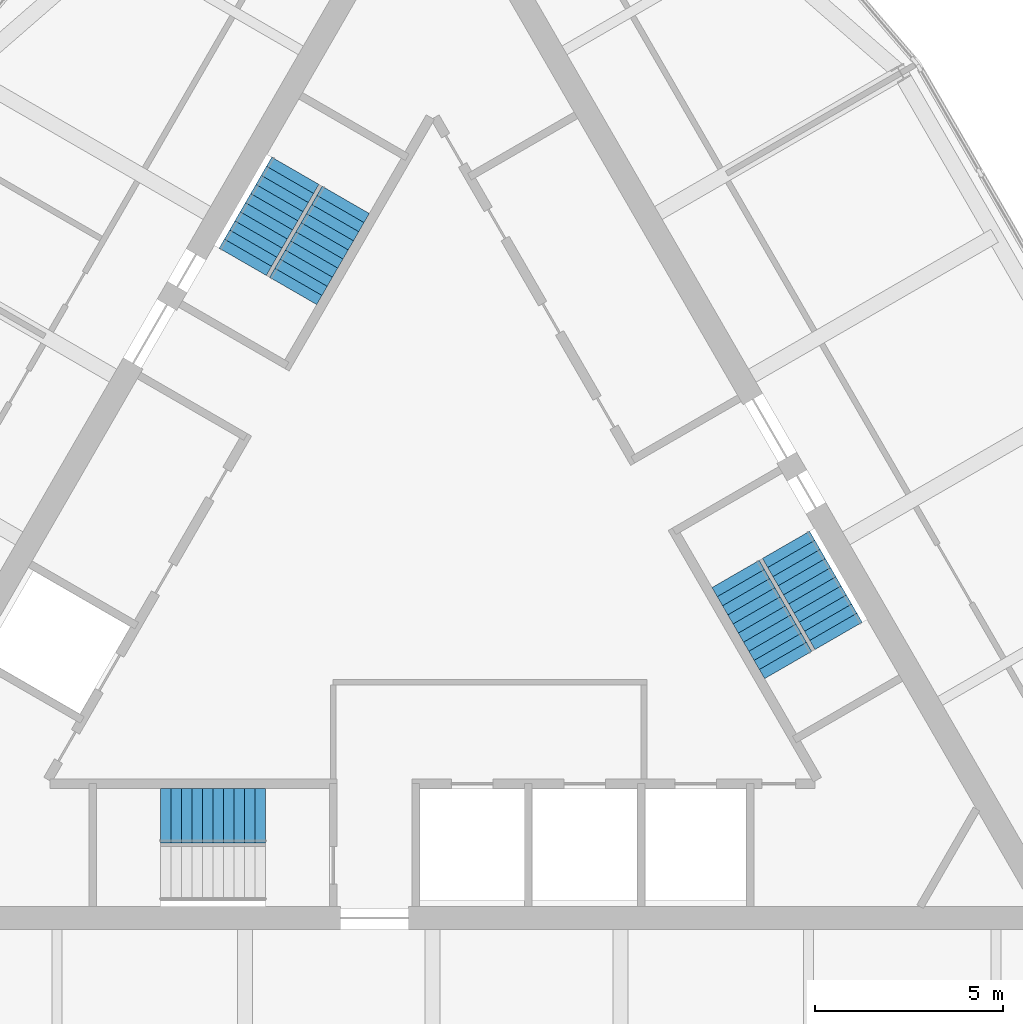
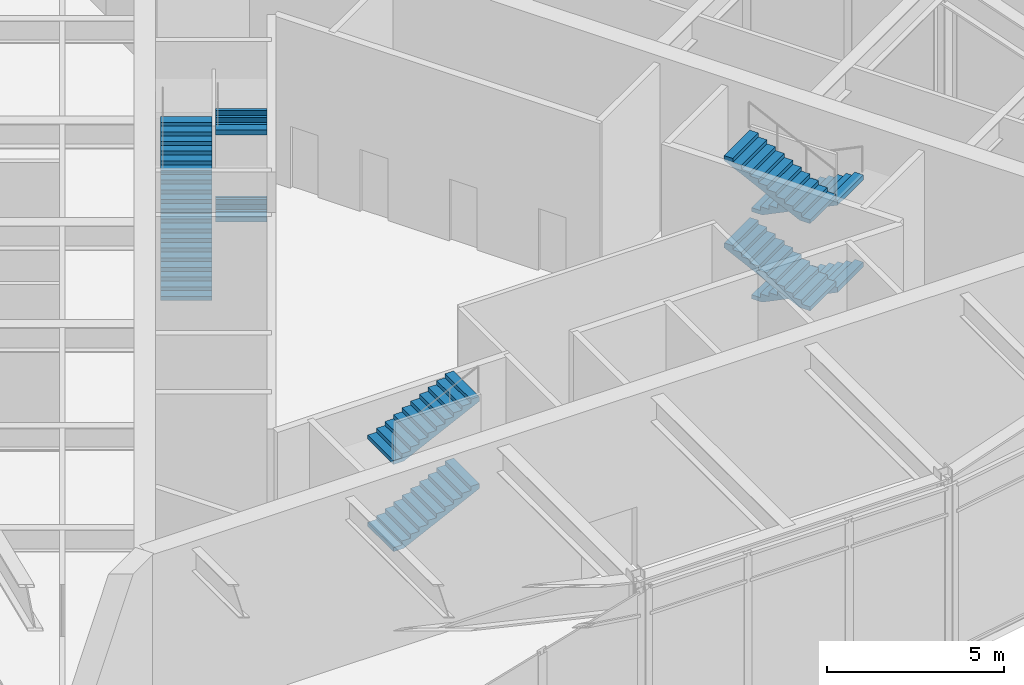
# One storey, part 8 of 9: 10 stair flights, 3 elements without a shape of their own.
"""IFC4 building model written with IfcOpenShell, lengths in metres."""

from ifc_helpers import new_model, si_unit, direction, frame, origin, place, context, subcontext, project, spatial, polyline, outline, extrude, material, type_object, element, aggregate, save


model = new_model("IFC4")

# Units and contexts
model_context = context("Model", 3, precision=1e-05, world=origin(), true_north=direction((0.0, 1.0)))
body_context = subcontext(model_context, "Body", "Model", "MODEL_VIEW")
ifc_project = project(units=[si_unit("LENGTHUNIT", "METRE"), si_unit("AREAUNIT", "SQUARE_METRE"), si_unit("VOLUMEUNIT", "CUBIC_METRE"), si_unit("PLANEANGLEUNIT", "RADIAN"), si_unit("MASSUNIT", "GRAM", prefix="KILO")], contexts=[model_context])

# Site, building, storey
site_placement = place(None, origin())
site = spatial("IfcSite", under=ifc_project, at=site_placement, CompositionType="ELEMENT")
building_placement = place(site_placement, origin())
building = spatial("IfcBuilding", under=site, at=building_placement, Name="Trikona Tower", CompositionType="ELEMENT")
storey_placement = place(building_placement, frame((0.0, 0.0, 286.800048828125)))
storey = spatial("IfcBuildingStorey", under=building, at=storey_placement, Name="L75", CompositionType="ELEMENT", Elevation=286.800048828125)

# Stair, stair flights
ifc_material_1 = material(Name="Concrete f'c 5000 psi", Category="concrete")
stair_type = type_object("IfcStairType", Name="Core stair", PredefinedType="HALF_TURN_STAIR", material=ifc_material_1)
stair_1_placement = place(storey_placement, origin())
stair_1 = element("IfcStair", 1, at=stair_1_placement, inside=storey, type_object=stair_type, Name="Stair A L75", PredefinedType="HALF_TURN_STAIR")
ifc_material_2 = material(Name="Concrete f'c 5000 psi", Category="concrete")
stair_flight_type = type_object("IfcStairFlightType", Name="Core stair flight 1450", PredefinedType="STRAIGHT", material=ifc_material_2)
stair_flight_1_placement = place(storey_placement, frame((-7.25, -6.80126953125, 1.5), z_axis=(0.0, 0.0, 1.0), x_axis=(1.0, 0.0, 0.0)))
stair_flight_1 = element("IfcStairFlight", 2, at=stair_flight_1_placement, type_object=stair_flight_type, Name="ST-A flight 2", NumberOfRisers=11, NumberOfTreads=10, PredefinedType="STRAIGHT", RiserHeight=0.136364, TreadLength=0.28, context=body_context, shape_type="SweptSolid", body=[
    extrude(outline(polyline([(0.0, 0.0), (0.0, 0.136474609375), (0.280029296875, 0.136474609375), (0.280029296875, 0.272705078125), (0.56005859375, 0.272705078125), (0.56005859375, 0.4091796875), (0.840087890625, 0.4091796875), (0.840087890625, 0.54541015625), (1.1201171875, 0.54541015625), (1.1201171875, 0.681884765625), (1.39990234375, 0.681884765625), (1.39990234375, 0.818115234375), (1.679931640625, 0.818115234375), (1.679931640625, 0.95458984375), (1.9599609375, 0.95458984375), (1.9599609375, 1.0908203125), (2.239990234375, 1.0908203125), (2.239990234375, 1.227294921875), (2.52001953125, 1.227294921875), (2.52001953125, 1.363525390625), (2.800048828125, 1.363525390625), (2.800048828125, 1.5), (2.800048828125, 1.197021484375), (0.34228515625, 0.0), (0.0, 0.0)])), frame((0.0, 0.72509765625, 0.0), z_axis=(0.0, -1.0, 0.0), x_axis=(1.0, 0.0, 0.0)), (0.0, 0.0, 1.0), 1.449951171875),
])
stair_flight_2_placement = place(storey_placement, frame((-7.25, -6.80126953125, 4.5), z_axis=(0.0, 0.0, 1.0), x_axis=(1.0, 0.0, 0.0)))
stair_flight_2 = element("IfcStairFlight", 3, at=stair_flight_2_placement, type_object=stair_flight_type, Name="ST-A flight 4", NumberOfRisers=11, NumberOfTreads=10, PredefinedType="STRAIGHT", RiserHeight=0.136364, TreadLength=0.28, context=body_context, shape_type="SweptSolid", body=[
    extrude(outline(polyline([(0.0, 0.0), (0.0, 0.136474609375), (0.280029296875, 0.136474609375), (0.280029296875, 0.272705078125), (0.56005859375, 0.272705078125), (0.56005859375, 0.4091796875), (0.840087890625, 0.4091796875), (0.840087890625, 0.54541015625), (1.1201171875, 0.54541015625), (1.1201171875, 0.681884765625), (1.39990234375, 0.681884765625), (1.39990234375, 0.818115234375), (1.679931640625, 0.818115234375), (1.679931640625, 0.95458984375), (1.9599609375, 0.95458984375), (1.9599609375, 1.0908203125), (2.239990234375, 1.0908203125), (2.239990234375, 1.227294921875), (2.52001953125, 1.227294921875), (2.52001953125, 1.363525390625), (2.800048828125, 1.363525390625), (2.800048828125, 1.5), (2.800048828125, 1.197021484375), (0.34228515625, 0.0), (0.0, 0.0)])), frame((0.0, 0.72509765625, 0.0), z_axis=(0.0, -1.0, 0.0), x_axis=(1.0, 0.0, 0.0)), (0.0, 0.0, 1.0), 1.449951171875),
])
aggregate(stair_1, [stair_flight_1, stair_flight_2])

stair_2_placement = place(storey_placement, origin())
stair_2 = element("IfcStair", 4, at=stair_2_placement, inside=storey, type_object=stair_type, Name="Stair B L75", PredefinedType="HALF_TURN_STAIR")
stair_flight_3_placement = place(storey_placement, frame((9.407470703125, 0.408447265625, 0.0), z_axis=(0.0, 0.0, 1.0), x_axis=(0.5, -0.866025403784, 0.0)))
stair_flight_3 = element("IfcStairFlight", 5, at=stair_flight_3_placement, type_object=stair_flight_type, Name="ST-B flight 1", NumberOfRisers=11, NumberOfTreads=10, PredefinedType="STRAIGHT", RiserHeight=0.136364, TreadLength=0.28, context=body_context, shape_type="SweptSolid", body=[
    extrude(outline(polyline([(0.0, 0.0), (0.0, 0.136474609375), (0.280029296875, 0.136474609375), (0.280029296875, 0.272705078125), (0.56005859375, 0.272705078125), (0.56005859375, 0.4091796875), (0.840087890625, 0.4091796875), (0.840087890625, 0.54541015625), (1.1201171875, 0.54541015625), (1.1201171875, 0.681884765625), (1.39990234375, 0.681884765625), (1.39990234375, 0.818115234375), (1.679931640625, 0.818115234375), (1.679931640625, 0.95458984375), (1.9599609375, 0.95458984375), (1.9599609375, 1.0908203125), (2.239990234375, 1.0908203125), (2.239990234375, 1.227294921875), (2.52001953125, 1.227294921875), (2.52001953125, 1.363525390625), (2.800048828125, 1.363525390625), (2.800048828125, 1.5), (2.800048828125, 1.197021484375), (0.34228515625, 0.0), (0.0, 0.0)])), frame((0.0, 0.72509765625, 0.0), z_axis=(0.0, -1.0, 0.0), x_axis=(1.0, 0.0, 0.0)), (0.0, 0.0, 1.0), 1.449951171875),
])
stair_flight_4_placement = place(storey_placement, frame((9.465087890625, -2.79150390625, 1.5), z_axis=(0.0, 0.0, 1.0), x_axis=(-0.5, 0.866025403784, 0.0)))
stair_flight_4 = element("IfcStairFlight", 6, at=stair_flight_4_placement, type_object=stair_flight_type, Name="ST-B flight 2", NumberOfRisers=11, NumberOfTreads=10, PredefinedType="STRAIGHT", RiserHeight=0.136364, TreadLength=0.28, context=body_context, shape_type="SweptSolid", body=[
    extrude(outline(polyline([(0.0, 0.0), (0.0, 0.136474609375), (0.280029296875, 0.136474609375), (0.280029296875, 0.272705078125), (0.56005859375, 0.272705078125), (0.56005859375, 0.4091796875), (0.840087890625, 0.4091796875), (0.840087890625, 0.54541015625), (1.1201171875, 0.54541015625), (1.1201171875, 0.681884765625), (1.39990234375, 0.681884765625), (1.39990234375, 0.818115234375), (1.679931640625, 0.818115234375), (1.679931640625, 0.95458984375), (1.9599609375, 0.95458984375), (1.9599609375, 1.0908203125), (2.239990234375, 1.0908203125), (2.239990234375, 1.227294921875), (2.52001953125, 1.227294921875), (2.52001953125, 1.363525390625), (2.800048828125, 1.363525390625), (2.800048828125, 1.5), (2.800048828125, 1.197021484375), (0.34228515625, 0.0), (0.0, 0.0)])), frame((0.0, 0.72509765625, 0.0), z_axis=(0.0, -1.0, 0.0), x_axis=(1.0, 0.0, 0.0)), (0.0, 0.0, 1.0), 1.449951171875),
])
stair_flight_5_placement = place(storey_placement, frame((9.407470703125, 0.408447265625, 3.0), z_axis=(0.0, 0.0, 1.0), x_axis=(0.5, -0.866025403784, 0.0)))
stair_flight_5 = element("IfcStairFlight", 7, at=stair_flight_5_placement, type_object=stair_flight_type, Name="ST-B flight 3", NumberOfRisers=11, NumberOfTreads=10, PredefinedType="STRAIGHT", RiserHeight=0.136364, TreadLength=0.28, context=body_context, shape_type="SweptSolid", body=[
    extrude(outline(polyline([(0.0, 0.0), (0.0, 0.136474609375), (0.280029296875, 0.136474609375), (0.280029296875, 0.272705078125), (0.56005859375, 0.272705078125), (0.56005859375, 0.4091796875), (0.840087890625, 0.4091796875), (0.840087890625, 0.54541015625), (1.1201171875, 0.54541015625), (1.1201171875, 0.681884765625), (1.39990234375, 0.681884765625), (1.39990234375, 0.818115234375), (1.679931640625, 0.818115234375), (1.679931640625, 0.95458984375), (1.9599609375, 0.95458984375), (1.9599609375, 1.0908203125), (2.239990234375, 1.0908203125), (2.239990234375, 1.227294921875), (2.52001953125, 1.227294921875), (2.52001953125, 1.363525390625), (2.800048828125, 1.363525390625), (2.800048828125, 1.5), (2.800048828125, 1.197021484375), (0.34228515625, 0.0), (0.0, 0.0)])), frame((0.0, 0.72509765625, 0.0), z_axis=(0.0, -1.0, 0.0), x_axis=(1.0, 0.0, 0.0)), (0.0, 0.0, 1.0), 1.449951171875),
])
stair_flight_6_placement = place(storey_placement, frame((9.465087890625, -2.79150390625, 4.5), z_axis=(0.0, 0.0, 1.0), x_axis=(-0.5, 0.866025403784, 0.0)))
stair_flight_6 = element("IfcStairFlight", 8, at=stair_flight_6_placement, type_object=stair_flight_type, Name="ST-B flight 4", NumberOfRisers=11, NumberOfTreads=10, PredefinedType="STRAIGHT", RiserHeight=0.136364, TreadLength=0.28, context=body_context, shape_type="SweptSolid", body=[
    extrude(outline(polyline([(0.0, 0.0), (0.0, 0.136474609375), (0.280029296875, 0.136474609375), (0.280029296875, 0.272705078125), (0.56005859375, 0.272705078125), (0.56005859375, 0.4091796875), (0.840087890625, 0.4091796875), (0.840087890625, 0.54541015625), (1.1201171875, 0.54541015625), (1.1201171875, 0.681884765625), (1.39990234375, 0.681884765625), (1.39990234375, 0.818115234375), (1.679931640625, 0.818115234375), (1.679931640625, 0.95458984375), (1.9599609375, 0.95458984375), (1.9599609375, 1.0908203125), (2.239990234375, 1.0908203125), (2.239990234375, 1.227294921875), (2.52001953125, 1.227294921875), (2.52001953125, 1.363525390625), (2.800048828125, 1.363525390625), (2.800048828125, 1.5), (2.800048828125, 1.197021484375), (0.34228515625, 0.0), (0.0, 0.0)])), frame((0.0, 0.72509765625, 0.0), z_axis=(0.0, -1.0, 0.0), x_axis=(1.0, 0.0, 0.0)), (0.0, 0.0, 1.0), 1.449951171875),
])
aggregate(stair_2, [stair_flight_3, stair_flight_4, stair_flight_5, stair_flight_6])

stair_3_placement = place(storey_placement, origin())
stair_3 = element("IfcStair", 9, at=stair_3_placement, inside=storey, type_object=stair_type, Name="Stair C L75", PredefinedType="HALF_TURN_STAIR")
stair_flight_7_placement = place(storey_placement, frame((-5.057373046875, 7.94287109375, 0.0), z_axis=(0.0, 0.0, 1.0), x_axis=(0.5, 0.866025403784, 0.0)))
stair_flight_7 = element("IfcStairFlight", 10, at=stair_flight_7_placement, type_object=stair_flight_type, Name="ST-C flight 1", NumberOfRisers=11, NumberOfTreads=10, PredefinedType="STRAIGHT", RiserHeight=0.136364, TreadLength=0.28, context=body_context, shape_type="SweptSolid", body=[
    extrude(outline(polyline([(0.0, 0.0), (0.0, 0.136474609375), (0.280029296875, 0.136474609375), (0.280029296875, 0.272705078125), (0.56005859375, 0.272705078125), (0.56005859375, 0.4091796875), (0.840087890625, 0.4091796875), (0.840087890625, 0.54541015625), (1.1201171875, 0.54541015625), (1.1201171875, 0.681884765625), (1.39990234375, 0.681884765625), (1.39990234375, 0.818115234375), (1.679931640625, 0.818115234375), (1.679931640625, 0.95458984375), (1.9599609375, 0.95458984375), (1.9599609375, 1.0908203125), (2.239990234375, 1.0908203125), (2.239990234375, 1.227294921875), (2.52001953125, 1.227294921875), (2.52001953125, 1.363525390625), (2.800048828125, 1.363525390625), (2.800048828125, 1.5), (2.800048828125, 1.197021484375), (0.34228515625, 0.0), (0.0, 0.0)])), frame((0.0, 0.72509765625, 0.0), z_axis=(0.0, -1.0, 0.0), x_axis=(1.0, 0.0, 0.0)), (0.0, 0.0, 1.0), 1.449951171875),
])
stair_flight_8_placement = place(storey_placement, frame((-2.315185546875, 9.5927734375, 1.5), z_axis=(0.0, 0.0, 1.0), x_axis=(-0.5, -0.866025403784, 0.0)))
stair_flight_8 = element("IfcStairFlight", 11, at=stair_flight_8_placement, type_object=stair_flight_type, Name="ST-C flight 2", NumberOfRisers=11, NumberOfTreads=10, PredefinedType="STRAIGHT", RiserHeight=0.136364, TreadLength=0.28, context=body_context, shape_type="SweptSolid", body=[
    extrude(outline(polyline([(0.0, 0.0), (0.0, 0.136474609375), (0.280029296875, 0.136474609375), (0.280029296875, 0.272705078125), (0.56005859375, 0.272705078125), (0.56005859375, 0.4091796875), (0.840087890625, 0.4091796875), (0.840087890625, 0.54541015625), (1.1201171875, 0.54541015625), (1.1201171875, 0.681884765625), (1.39990234375, 0.681884765625), (1.39990234375, 0.818115234375), (1.679931640625, 0.818115234375), (1.679931640625, 0.95458984375), (1.9599609375, 0.95458984375), (1.9599609375, 1.0908203125), (2.239990234375, 1.0908203125), (2.239990234375, 1.227294921875), (2.52001953125, 1.227294921875), (2.52001953125, 1.363525390625), (2.800048828125, 1.363525390625), (2.800048828125, 1.5), (2.800048828125, 1.197021484375), (0.34228515625, 0.0), (0.0, 0.0)])), frame((0.0, 0.72509765625, 0.0), z_axis=(0.0, -1.0, 0.0), x_axis=(1.0, 0.0, 0.0)), (0.0, 0.0, 1.0), 1.449951171875),
])
stair_flight_9_placement = place(storey_placement, frame((-5.057373046875, 7.94287109375, 3.0), z_axis=(0.0, 0.0, 1.0), x_axis=(0.5, 0.866025403784, 0.0)))
stair_flight_9 = element("IfcStairFlight", 12, at=stair_flight_9_placement, type_object=stair_flight_type, Name="ST-C flight 3", NumberOfRisers=11, NumberOfTreads=10, PredefinedType="STRAIGHT", RiserHeight=0.136364, TreadLength=0.28, context=body_context, shape_type="SweptSolid", body=[
    extrude(outline(polyline([(0.0, 0.0), (0.0, 0.136474609375), (0.280029296875, 0.136474609375), (0.280029296875, 0.272705078125), (0.56005859375, 0.272705078125), (0.56005859375, 0.4091796875), (0.840087890625, 0.4091796875), (0.840087890625, 0.54541015625), (1.1201171875, 0.54541015625), (1.1201171875, 0.681884765625), (1.39990234375, 0.681884765625), (1.39990234375, 0.818115234375), (1.679931640625, 0.818115234375), (1.679931640625, 0.95458984375), (1.9599609375, 0.95458984375), (1.9599609375, 1.0908203125), (2.239990234375, 1.0908203125), (2.239990234375, 1.227294921875), (2.52001953125, 1.227294921875), (2.52001953125, 1.363525390625), (2.800048828125, 1.363525390625), (2.800048828125, 1.5), (2.800048828125, 1.197021484375), (0.34228515625, 0.0), (0.0, 0.0)])), frame((0.0, 0.72509765625, 0.0), z_axis=(0.0, -1.0, 0.0), x_axis=(1.0, 0.0, 0.0)), (0.0, 0.0, 1.0), 1.449951171875),
])
stair_flight_10_placement = place(storey_placement, frame((-2.315185546875, 9.5927734375, 4.5), z_axis=(0.0, 0.0, 1.0), x_axis=(-0.5, -0.866025403784, 0.0)))
stair_flight_10 = element("IfcStairFlight", 13, at=stair_flight_10_placement, type_object=stair_flight_type, Name="ST-C flight 4", NumberOfRisers=11, NumberOfTreads=10, PredefinedType="STRAIGHT", RiserHeight=0.136364, TreadLength=0.28, context=body_context, shape_type="SweptSolid", body=[
    extrude(outline(polyline([(0.0, 0.0), (0.0, 0.136474609375), (0.280029296875, 0.136474609375), (0.280029296875, 0.272705078125), (0.56005859375, 0.272705078125), (0.56005859375, 0.4091796875), (0.840087890625, 0.4091796875), (0.840087890625, 0.54541015625), (1.1201171875, 0.54541015625), (1.1201171875, 0.681884765625), (1.39990234375, 0.681884765625), (1.39990234375, 0.818115234375), (1.679931640625, 0.818115234375), (1.679931640625, 0.95458984375), (1.9599609375, 0.95458984375), (1.9599609375, 1.0908203125), (2.239990234375, 1.0908203125), (2.239990234375, 1.227294921875), (2.52001953125, 1.227294921875), (2.52001953125, 1.363525390625), (2.800048828125, 1.363525390625), (2.800048828125, 1.5), (2.800048828125, 1.197021484375), (0.34228515625, 0.0), (0.0, 0.0)])), frame((0.0, 0.72509765625, 0.0), z_axis=(0.0, -1.0, 0.0), x_axis=(1.0, 0.0, 0.0)), (0.0, 0.0, 1.0), 1.449951171875),
])
aggregate(stair_3, [stair_flight_7, stair_flight_8, stair_flight_9, stair_flight_10])

save(model, "model.ifc")
